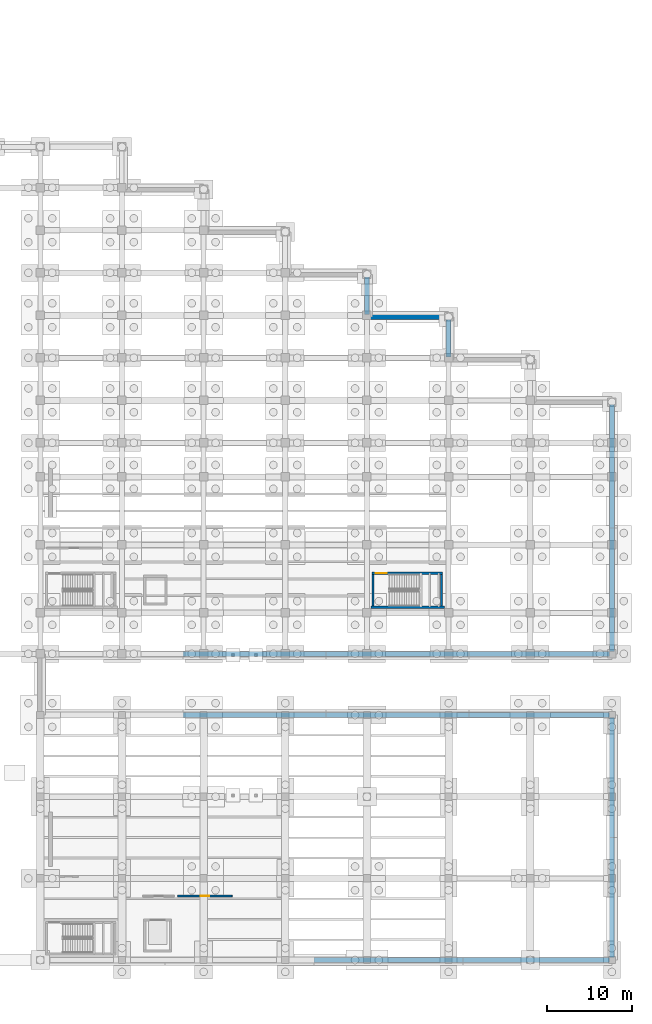
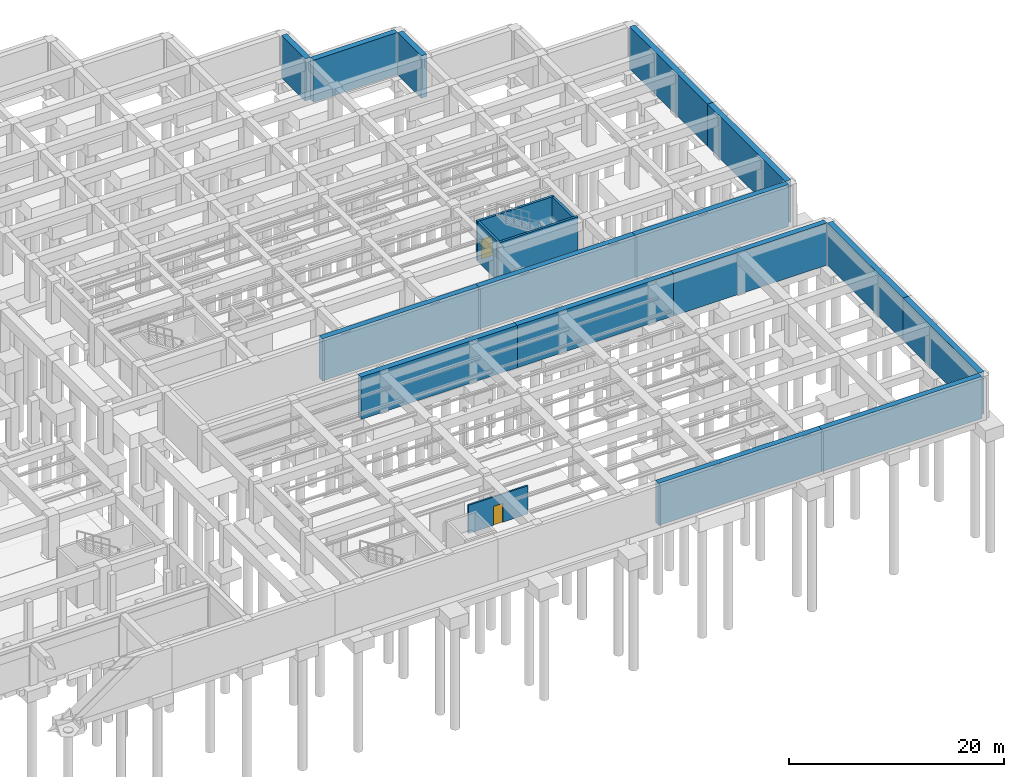
# One storey, part 40 of 56: 20 walls, 2 doors, 2 openings.
"""IFC4 building model written with IfcOpenShell, lengths in metres."""

from ifc_helpers import new_model, si_unit, direction, frame, frame_2d, origin, place, context, subcontext, project, spatial, rectangle, extrude, material, layer, layer_set, type_object, element, fill, save


model = new_model("IFC4")

# Units and contexts
model_context = context("Model", 3, precision=1e-05, world=origin(), true_north=direction((0.0, 1.0)))
body_context = subcontext(model_context, "Body", "Model", "MODEL_VIEW")
ifc_project = project(units=[si_unit("LENGTHUNIT", "METRE"), si_unit("AREAUNIT", "SQUARE_METRE"), si_unit("VOLUMEUNIT", "CUBIC_METRE"), si_unit("PLANEANGLEUNIT", "RADIAN"), si_unit("MASSUNIT", "GRAM", prefix="KILO")], contexts=[model_context])

# Site, building, storey
site_placement = place(None, origin())
site = spatial("IfcSite", under=ifc_project, at=site_placement, CompositionType="ELEMENT")
building_placement = place(site_placement, origin())
building = spatial("IfcBuilding", under=site, at=building_placement, Name="Mavantir Sound Aquarium", CompositionType="ELEMENT")
storey_placement = place(building_placement, frame((0.0, 0.0, -9.60009765625)))
storey = spatial("IfcBuildingStorey", under=building, at=storey_placement, Name="B2", CompositionType="ELEMENT", Elevation=-9.60009765625)

# Wall, opening, door
ifc_material_1 = material(Name="Acoustic Metal-Stud Gypsum Partition", Category="gypsum")
ifc_layer_1 = layer(ifc_material_1, 0.179931640625, Name="Acoustic Metal-Stud Gypsum Partition")
ifc_layer_set_1 = layer_set([ifc_layer_1], Name="Acoustic Metal-Stud Gypsum Partition")
wall_type_1 = type_object("IfcWallType", Name="IW-PART-180", PredefinedType="PARTITIONING", material=ifc_layer_set_1)
wall_1_placement = place(storey_placement, frame((124.14990234375, 7.52490234375, 0.0), z_axis=(0.0, 0.0, 1.0), x_axis=(1.0, 0.0, 0.0)))
wall_1 = element("IfcWall", 1, at=wall_1_placement, inside=storey, type_object=wall_type_1, Name="B2 Standby Generator, Chiller and Fire-Pump Plant entry partition", PredefinedType="PARTITIONING", context=body_context, shape_type="SweptSolid", body=[
    extrude(rectangle(XDim=6.400146484375, YDim=0.179931640625, at=frame_2d((3.2001953125, 0.0))), origin(), (0.0, 0.0, 1.0), 3.216064453125),
])
opening_1_placement = place(wall_1_placement, frame((2.7099609375, 0.0, 0.0)))
opening_1 = element("IfcOpeningElement", 2, at=opening_1_placement, cuts=wall_1, Name="Opening ID-03", PredefinedType="OPENING", context=body_context, shape_type="SweptSolid", body=[
    extrude(rectangle(XDim=0.97998046875, YDim=2.14990234375, at=frame_2d((0.489990234375, 1.074951171875))), frame((0.0, 0.10009765625, 0.0), z_axis=(0.0, -1.0, 0.0), x_axis=(1.0, 0.0, 0.0)), (0.0, 0.0, 1.0), 0.199951171875),
])
ifc_material_2 = material(Name="Solid-Core Marine Hardwood and Vision-Panel Door", Category="wood")
door_type_1 = type_object("IfcDoorType", Name="DR-INT-03", OperationType="NOTDEFINED", PredefinedType="DOOR", material=ifc_material_2)
door_1_placement = place(opening_1_placement, origin())
door_1 = element("IfcDoor", 3, at=door_1_placement, inside=storey, type_object=door_type_1, Name="Standby Generator, Chiller and Fire-Pump Plant door", OperationType="SINGLE_SWING_LEFT", OverallHeight=2.14990234375, OverallWidth=0.97998046875, PredefinedType="DOOR", context=body_context, shape_type="SweptSolid", body=[
    extrude(rectangle(XDim=0.97998046875, YDim=2.14990234375, at=frame_2d((0.489990234375, 1.074951171875))), frame((0.0, 0.02490234375, 0.0), z_axis=(0.0, -1.0, 0.0), x_axis=(1.0, 0.0, 0.0)), (0.0, 0.0, 1.0), 0.050048828125),
])
fill(opening_1, door_1)

# Wall
ifc_material_3 = material(Name="Concrete C40/50", Category="concrete")
ifc_layer_2 = layer(ifc_material_3, 0.25, Name="Concrete C40/50")
ifc_layer_set_2 = layer_set([ifc_layer_2], Name="Concrete C40/50")
wall_type_2 = type_object("IfcWallType", Name="IW-SHAFT-250", PredefinedType="SHEAR", material=ifc_layer_set_2)
wall_2_placement = place(storey_placement, frame((146.89990234375, 41.47509765625, 0.0), z_axis=(0.0, 0.0, 1.0), x_axis=(1.0, 0.0, 0.0)))
element("IfcWall", 4, at=wall_2_placement, inside=storey, type_object=wall_type_2, Name="B2 stair ST12 shaft wall S", PredefinedType="SHEAR", context=body_context, shape_type="SweptSolid", body=[
    extrude(rectangle(XDim=8.60009765625, YDim=0.25, at=frame_2d((4.300048828125, 0.0))), origin(), (0.0, 0.0, 1.0), 4.5),
])

# Wall, opening, door
wall_3_placement = place(storey_placement, frame((155.300048828125, 45.47509765625, 0.0), z_axis=(0.0, 0.0, 1.0), x_axis=(-1.0, 0.0, 0.0)))
wall_3 = element("IfcWall", 5, at=wall_3_placement, inside=storey, type_object=wall_type_2, Name="B2 stair ST12 shaft wall N", PredefinedType="SHEAR", context=body_context, shape_type="SweptSolid", body=[
    extrude(rectangle(XDim=8.300048828125, YDim=0.25, at=frame_2d((4.14990234375, 0.0))), origin(), (0.0, 0.0, 1.0), 4.5),
])
opening_2_placement = place(wall_3_placement, frame((7.85009765625, 0.0, 0.0), z_axis=(0.0, 0.0, 1.0), x_axis=(-1.0, 0.0, 0.0)))
opening_2 = element("IfcOpeningElement", 6, at=opening_2_placement, cuts=wall_3, Name="Opening SD-01", PredefinedType="OPENING", context=body_context, shape_type="SweptSolid", body=[
    extrude(rectangle(XDim=1.25, YDim=2.199951171875, at=frame_2d((0.625, 1.10009765625))), frame((0.0, 0.135009765625, 0.0), z_axis=(0.0, -1.0, 0.0), x_axis=(1.0, 0.0, 0.0)), (0.0, 0.0, 1.0), 0.27001953125),
])
ifc_material_4 = material(Name="Fire-Rated Steel Acoustic Door Leaf", Category="steel")
door_type_2 = type_object("IfcDoorType", Name="DR-ST-125", OperationType="NOTDEFINED", PredefinedType="DOOR", material=ifc_material_4)
door_2_placement = place(opening_2_placement, origin())
door_2 = element("IfcDoor", 7, at=door_2_placement, inside=storey, type_object=door_type_2, Name="B2 protected exit stair ST12 door", OperationType="SINGLE_SWING_LEFT", OverallHeight=2.199951171875, OverallWidth=1.25, PredefinedType="DOOR", context=body_context, shape_type="SweptSolid", body=[
    extrude(rectangle(XDim=1.25, YDim=2.199951171875, at=frame_2d((0.625, 1.10009765625))), frame((0.0, 0.02490234375, 0.0), z_axis=(0.0, -1.0, 0.0), x_axis=(1.0, 0.0, 0.0)), (0.0, 0.0, 1.0), 0.050048828125),
])
fill(opening_2, door_2)

# Walls
for number, where, z_axis, x_axis, name in (
    (8, (147.125, 45.35009765625, 0.0), (0.0, 0.0, 1.0), (0.0, -1.0, 0.0), "B2 stair ST12 shaft wall W"),
    (9, (155.175048828125, 41.60009765625, 0.0), (0.0, 0.0, 1.0), (0.0, 1.0, 0.0), "B2 stair ST12 shaft wall E"),
):
    element("IfcWall", number, at=place(storey_placement, frame(where, z_axis=z_axis, x_axis=x_axis)), inside=storey, type_object=wall_type_2, Name=name, PredefinedType="SHEAR", context=body_context, shape_type="SweptSolid", body=[
        extrude(rectangle(XDim=3.75, YDim=0.25, at=frame_2d((1.875, 0.0))), origin(), (0.0, 0.0, 1.0), 4.5),
    ])
ifc_material_5 = material(Name="Concrete C45/55", Category="concrete")
ifc_layer_3 = layer(ifc_material_5, 0.60009765625, Name="Concrete C45/55")
ifc_layer_set_3 = layer_set([ifc_layer_3], Name="Concrete C45/55")
wall_type_3 = type_object("IfcWallType", Name="SW-RET-600", PredefinedType="USERDEFINED", material=ifc_layer_set_3)
wall_4_placement = place(storey_placement, frame((146.39990234375, 80.320068359375, 0.0), z_axis=(0.0, 0.0, 1.0), x_axis=(0.0, -1.0, 0.0)))
element("IfcWall", 10, at=wall_4_placement, inside=storey, type_object=wall_type_3, Name="B2 perimeter plinth retaining wall 47", ObjectType="RETAINING WALL", PredefinedType="USERDEFINED", context=body_context, shape_type="SweptSolid", body=[
    extrude(rectangle(XDim=4.440185546875, YDim=0.60009765625, at=frame_2d((2.22021484375, 0.0))), origin(), (0.0, 0.0, 1.0), 4.800048828125),
])
wall_5_placement = place(storey_placement, frame((146.679931640625, 75.60009765625, 0.0), z_axis=(0.0, 0.0, 1.0), x_axis=(1.0, 0.0, 0.0)))
element("IfcWall", 11, at=wall_5_placement, inside=storey, type_object=wall_type_3, Name="B2 perimeter plinth retaining wall 49", ObjectType="RETAINING WALL", PredefinedType="USERDEFINED", context=body_context, shape_type="SweptSolid", body=[
    extrude(rectangle(XDim=9.0400390625, YDim=0.60009765625, at=frame_2d((4.52001953125, 0.0))), origin(), (0.0, 0.0, 1.0), 4.800048828125),
])
wall_6_placement = place(storey_placement, frame((156.0, 75.320068359375, 0.0), z_axis=(0.0, 0.0, 1.0), x_axis=(0.0, -1.0, 0.0)))
element("IfcWall", 12, at=wall_6_placement, inside=storey, type_object=wall_type_3, Name="B2 perimeter plinth retaining wall 51", ObjectType="RETAINING WALL", PredefinedType="USERDEFINED", context=body_context, shape_type="SweptSolid", body=[
    extrude(rectangle(XDim=4.440185546875, YDim=0.60009765625, at=frame_2d((2.22021484375, 0.0))), origin(), (0.0, 0.0, 1.0), 4.800048828125),
])
for number, where, z_axis, x_axis, name in (
    (13, (175.199951171875, 65.320068359375, 0.0), (0.0, 0.0, 1.0), (0.0, -1.0, 0.0), "B2 perimeter plinth retaining wall 59"),
    (14, (175.199951171875, 50.800048828125, 0.0), (0.0, 0.0, 1.0), (0.0, -1.0, 0.0), "B2 perimeter plinth retaining wall 61"),
):
    element("IfcWall", number, at=place(storey_placement, frame(where, z_axis=z_axis, x_axis=x_axis)), inside=storey, type_object=wall_type_3, Name=name, ObjectType="RETAINING WALL", PredefinedType="USERDEFINED", context=body_context, shape_type="SweptSolid", body=[
        extrude(rectangle(XDim=14.52001953125, YDim=0.60009765625, at=frame_2d((7.260009765625, 0.0))), origin(), (0.0, 0.0, 1.0), 4.800048828125),
    ])
wall_7_placement = place(storey_placement, frame((174.919921875, 36.0, 0.0), z_axis=(0.0, 0.0, 1.0), x_axis=(-1.0, 0.0, 0.0)))
element("IfcWall", 15, at=wall_7_placement, inside=storey, type_object=wall_type_3, Name="B2 perimeter plinth retaining wall 63", ObjectType="RETAINING WALL", PredefinedType="USERDEFINED", context=body_context, shape_type="SweptSolid", body=[
    extrude(rectangle(XDim=16.532958984375, YDim=0.60009765625, at=frame_2d((8.2666015625, 0.0))), origin(), (0.0, 0.0, 1.0), 4.800048828125),
])
for number, where, z_axis, x_axis, name in (
    (16, (158.386962890625, 36.0, 0.0), (0.0, 0.0, 1.0), (-1.0, 0.0, 0.0), "B2 perimeter plinth retaining wall 65"),
    (17, (141.574951171875, 36.0, 0.0), (0.0, 0.0, 1.0), (-1.0, 0.0, 0.0), "B2 perimeter plinth retaining wall 67"),
    (18, (124.762939453125, 28.800048828125, 0.0), (0.0, 0.0, 1.0), (1.0, 0.0, 0.0), "B2 perimeter plinth retaining wall 75"),
    (19, (141.574951171875, 28.800048828125, 0.0), (0.0, 0.0, 1.0), (1.0, 0.0, 0.0), "B2 perimeter plinth retaining wall 77"),
):
    element("IfcWall", number, at=place(storey_placement, frame(where, z_axis=z_axis, x_axis=x_axis)), inside=storey, type_object=wall_type_3, Name=name, ObjectType="RETAINING WALL", PredefinedType="USERDEFINED", context=body_context, shape_type="SweptSolid", body=[
        extrude(rectangle(XDim=16.81201171875, YDim=0.60009765625, at=frame_2d((8.406005859375, 0.0))), origin(), (0.0, 0.0, 1.0), 4.800048828125),
    ])
wall_8_placement = place(storey_placement, frame((158.386962890625, 28.800048828125, 0.0), z_axis=(0.0, 0.0, 1.0), x_axis=(1.0, 0.0, 0.0)))
element("IfcWall", 20, at=wall_8_placement, inside=storey, type_object=wall_type_3, Name="B2 perimeter plinth retaining wall 79", ObjectType="RETAINING WALL", PredefinedType="USERDEFINED", context=body_context, shape_type="SweptSolid", body=[
    extrude(rectangle(XDim=16.532958984375, YDim=0.60009765625, at=frame_2d((8.2666015625, 0.0))), origin(), (0.0, 0.0, 1.0), 4.800048828125),
])
wall_9_placement = place(storey_placement, frame((175.199951171875, 28.52001953125, 0.0), z_axis=(0.0, 0.0, 1.0), x_axis=(0.0, -1.0, 0.0)))
element("IfcWall", 21, at=wall_9_placement, inside=storey, type_object=wall_type_3, Name="B2 perimeter plinth retaining wall 81", ObjectType="RETAINING WALL", PredefinedType="USERDEFINED", context=body_context, shape_type="SweptSolid", body=[
    extrude(rectangle(XDim=14.1201171875, YDim=0.60009765625, at=frame_2d((7.06005859375, 0.0))), origin(), (0.0, 0.0, 1.0), 4.800048828125),
])
wall_10_placement = place(storey_placement, frame((175.199951171875, 14.39990234375, 0.0), z_axis=(0.0, 0.0, 1.0), x_axis=(0.0, -1.0, 0.0)))
element("IfcWall", 22, at=wall_10_placement, inside=storey, type_object=wall_type_3, Name="B2 perimeter plinth retaining wall 83", ObjectType="RETAINING WALL", PredefinedType="USERDEFINED", context=body_context, shape_type="SweptSolid", body=[
    extrude(rectangle(XDim=14.119873046875, YDim=0.60009765625, at=frame_2d((7.06005859375, 0.0))), origin(), (0.0, 0.0, 1.0), 4.800048828125),
])
wall_11_placement = place(storey_placement, frame((174.919921875, 0.0, 0.0), z_axis=(0.0, 0.0, 1.0), x_axis=(-1.0, 0.0, 0.0)))
element("IfcWall", 23, at=wall_11_placement, inside=storey, type_object=wall_type_3, Name="B2 perimeter plinth retaining wall 85", ObjectType="RETAINING WALL", PredefinedType="USERDEFINED", context=body_context, shape_type="SweptSolid", body=[
    extrude(rectangle(XDim=17.239990234375, YDim=0.60009765625, at=frame_2d((8.6201171875, 0.0))), origin(), (0.0, 0.0, 1.0), 4.800048828125),
])
wall_12_placement = place(storey_placement, frame((157.679931640625, 0.0, 0.0), z_axis=(0.0, 0.0, 1.0), x_axis=(-1.0, 0.0, 0.0)))
element("IfcWall", 24, at=wall_12_placement, inside=storey, type_object=wall_type_3, Name="B2 perimeter plinth retaining wall 87", ObjectType="RETAINING WALL", PredefinedType="USERDEFINED", context=body_context, shape_type="SweptSolid", body=[
    extrude(rectangle(XDim=17.52001953125, YDim=0.60009765625, at=frame_2d((8.760009765625, 0.0))), origin(), (0.0, 0.0, 1.0), 4.800048828125),
])

save(model, "model.ifc")
